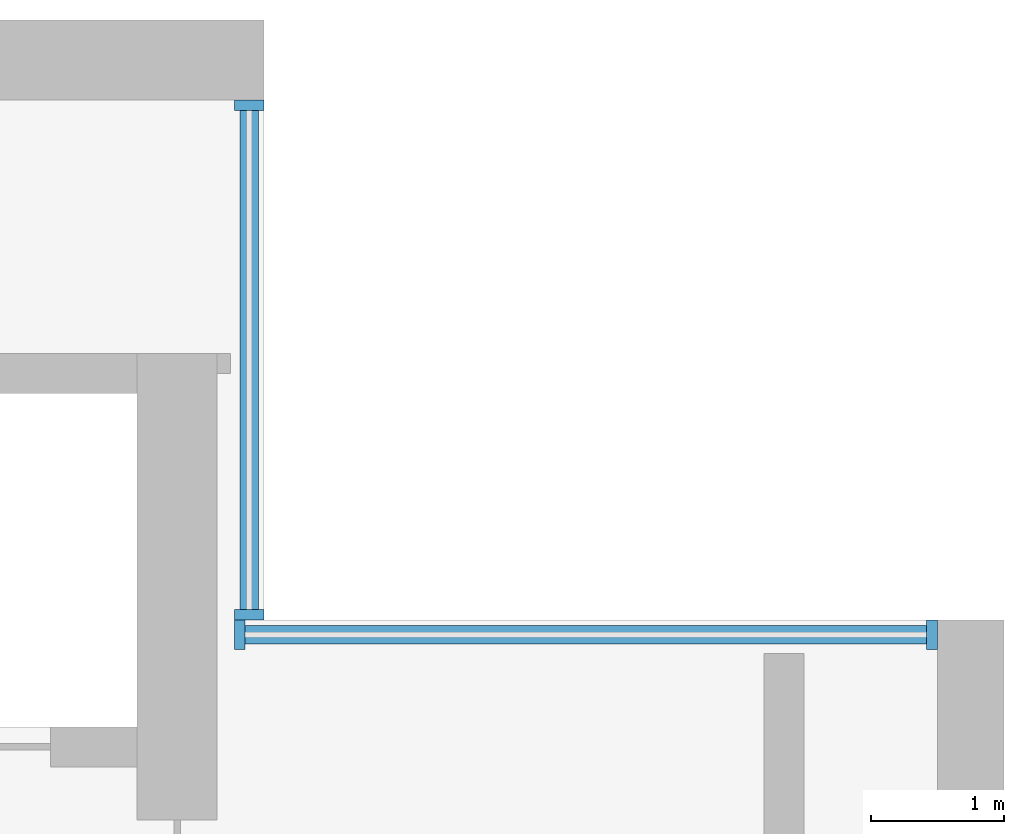
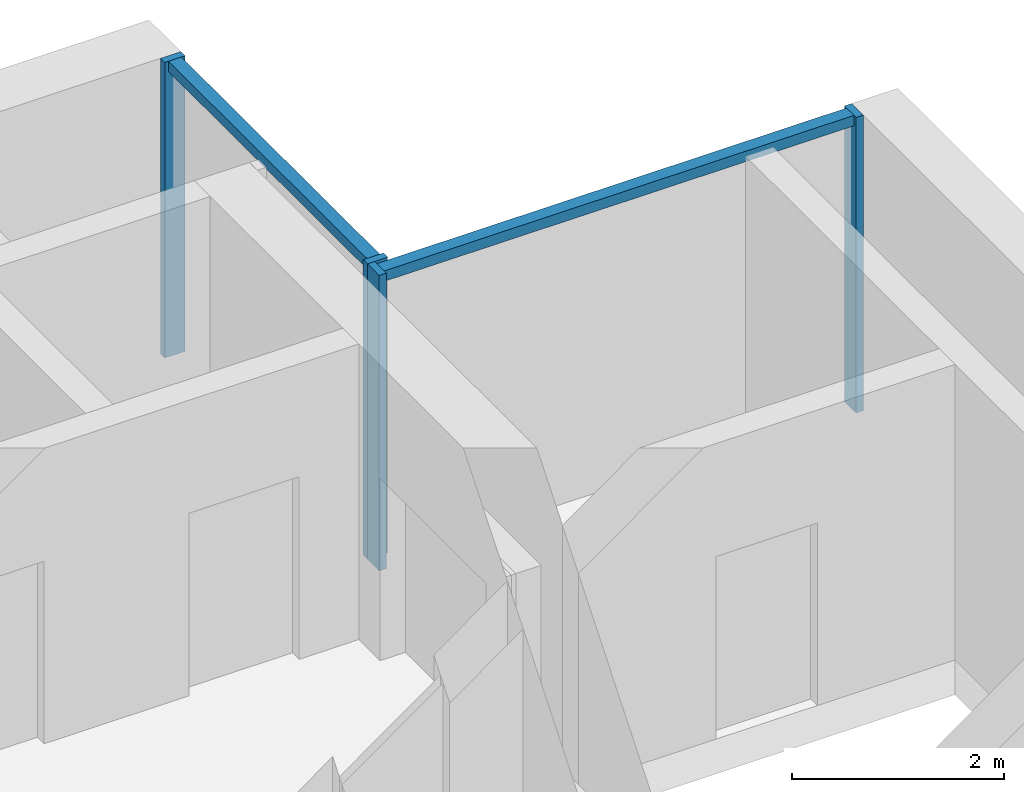
# One storey, part 5 of 14: 6 members, 2 elements without a shape of their own.
"""IFC4 building model written with IfcOpenShell, lengths in metres."""

from ifc_helpers import new_model, si_unit, direction, frame, origin, origin_2d, place, context, subcontext, project, spatial, rectangle, extrude, material, material_profile, profile_set, type_object, element, aggregate, save


model = new_model("IFC4")

# Units and contexts
model_context = context("Model", 3, precision=1e-05, world=origin(), true_north=direction((0.0, 1.0)))
body_context = subcontext(model_context, "Body", "Model", "MODEL_VIEW")
ifc_project = project(units=[si_unit("LENGTHUNIT", "METRE"), si_unit("AREAUNIT", "SQUARE_METRE"), si_unit("VOLUMEUNIT", "CUBIC_METRE"), si_unit("PLANEANGLEUNIT", "RADIAN"), si_unit("MASSUNIT", "GRAM", prefix="KILO")], contexts=[model_context])

# Site, building, storey
site_placement = place(None, origin())
site = spatial("IfcSite", under=ifc_project, at=site_placement, CompositionType="ELEMENT")
building_placement = place(site_placement, origin())
building = spatial("IfcBuilding", under=site, at=building_placement, Name="Calvaro Tower", CompositionType="ELEMENT")
storey_placement = place(building_placement, frame((0.0, 0.0, 250.75)))
storey = spatial("IfcBuildingStorey", under=building, at=storey_placement, Name="L63", CompositionType="ELEMENT", Elevation=250.75)

# Curtain wall, members
ifc_material_1 = material(Name="Anodised aluminium", Category="aluminium")
curtain_wall_type = type_object("IfcCurtainWallType", Name="Executive curtain wall", PredefinedType="NOTDEFINED", material=ifc_material_1)
curtain_wall_1_placement = place(storey_placement, origin())
curtain_wall_1 = element("IfcCurtainWall", 1, at=curtain_wall_1_placement, inside=storey, type_object=curtain_wall_type, Name="CW4 corner curtain wall", PredefinedType="NOTDEFINED")
ifc_material_2 = material(Name="Anodised aluminium", Category="aluminium")
ifc_material_profile_1 = material_profile(ifc_material_2, rectangle(XDim=0.219970703125, YDim=0.080078125, at=origin_2d()), Name="Mullion S4 80 x 220")
ifc_profile_set_1 = profile_set([ifc_material_profile_1], Name="Anodised aluminium")
member_type_1 = type_object("IfcMemberType", Name="Mullion S4 80 x 220", PredefinedType="MULLION", material=ifc_profile_set_1)
member_1_placement = place(storey_placement, frame((60.340087890625, 41.5400390625, 0.0), z_axis=(0.0, 0.0, 1.0), x_axis=(-1.0, 0.0, 0.0)))
member_1 = element("IfcMember", 2, at=member_1_placement, type_object=member_type_1, Name="CW4 mullion 1", PredefinedType="MULLION", context=body_context, shape_type="SweptSolid", body=[
    extrude(rectangle(XDim=0.219970703125, YDim=0.080078125, at=origin_2d()), origin(), (0.0, 0.0, 1.0), 3.39990234375),
])
member_2_placement = place(storey_placement, frame((60.340087890625, 45.360107421875, 0.0), z_axis=(0.0, 0.0, 1.0), x_axis=(-1.0, 0.0, 0.0)))
member_2 = element("IfcMember", 3, at=member_2_placement, type_object=member_type_1, Name="CW4 mullion 2", PredefinedType="MULLION", context=body_context, shape_type="SweptSolid", body=[
    extrude(rectangle(XDim=0.219970703125, YDim=0.080078125, at=origin_2d()), origin(), (0.0, 0.0, 1.0), 3.39990234375),
])

curtain_wall_2_placement = place(storey_placement, origin())
curtain_wall_2 = element("IfcCurtainWall", 4, at=curtain_wall_2_placement, inside=storey, type_object=curtain_wall_type, Name="CW4 corner curtain wall", PredefinedType="NOTDEFINED")
member_3_placement = place(storey_placement, frame((60.27001953125, 41.389892578125, 0.0), z_axis=(0.0, 0.0, 1.0), x_axis=(0.0, 1.0, 0.0)))
member_3 = element("IfcMember", 5, at=member_3_placement, type_object=member_type_1, Name="CW4 mullion 1", PredefinedType="MULLION", context=body_context, shape_type="SweptSolid", body=[
    extrude(rectangle(XDim=0.219970703125, YDim=0.080078125, at=origin_2d()), origin(), (0.0, 0.0, 1.0), 3.39990234375),
])
member_4_placement = place(storey_placement, frame((65.4599609375, 41.389892578125, 0.0), z_axis=(0.0, 0.0, 1.0), x_axis=(0.0, 1.0, 0.0)))
member_4 = element("IfcMember", 6, at=member_4_placement, type_object=member_type_1, Name="CW4 mullion 2", PredefinedType="MULLION", context=body_context, shape_type="SweptSolid", body=[
    extrude(rectangle(XDim=0.219970703125, YDim=0.080078125, at=origin_2d()), origin(), (0.0, 0.0, 1.0), 3.39990234375),
])

# Member
ifc_material_3 = material(Name="Anodised aluminium", Category="aluminium")
ifc_material_profile_2 = material_profile(ifc_material_3, rectangle(XDim=0.139892578125, YDim=0.1201171875, at=origin_2d()), Name="Transom S4 120 x 140")
ifc_profile_set_2 = profile_set([ifc_material_profile_2], Name="Anodised aluminium")
member_type_2 = type_object("IfcMemberType", Name="Transom S4 120 x 140", PredefinedType="USERDEFINED", material=ifc_profile_set_2)
member_5_placement = place(storey_placement, frame((60.340087890625, 41.580078125, 3.340087890625), z_axis=(0.0, 1.0, 0.0), x_axis=(-1.0, 0.0, 0.0)))
member_5 = element("IfcMember", 7, at=member_5_placement, type_object=member_type_2, Name="CW4 transom 1.1", ObjectType="TRANSOM", PredefinedType="USERDEFINED", context=body_context, shape_type="SweptSolid", body=[
    extrude(rectangle(XDim=0.139892578125, YDim=0.1201171875, at=origin_2d()), origin(), (0.0, 0.0, 1.0), 3.739990234375),
])

aggregate(curtain_wall_1, [member_1, member_2, member_5])

member_6_placement = place(storey_placement, frame((60.31005859375, 41.389892578125, 3.340087890625), z_axis=(1.0, 0.0, 0.0), x_axis=(0.0, 1.0, 0.0)))
member_6 = element("IfcMember", 8, at=member_6_placement, type_object=member_type_2, Name="CW4 transom 1.1", ObjectType="TRANSOM", PredefinedType="USERDEFINED", context=body_context, shape_type="SweptSolid", body=[
    extrude(rectangle(XDim=0.139892578125, YDim=0.1201171875, at=origin_2d()), origin(), (0.0, 0.0, 1.0), 5.10986328125),
])

aggregate(curtain_wall_2, [member_3, member_4, member_6])

save(model, "model.ifc")
